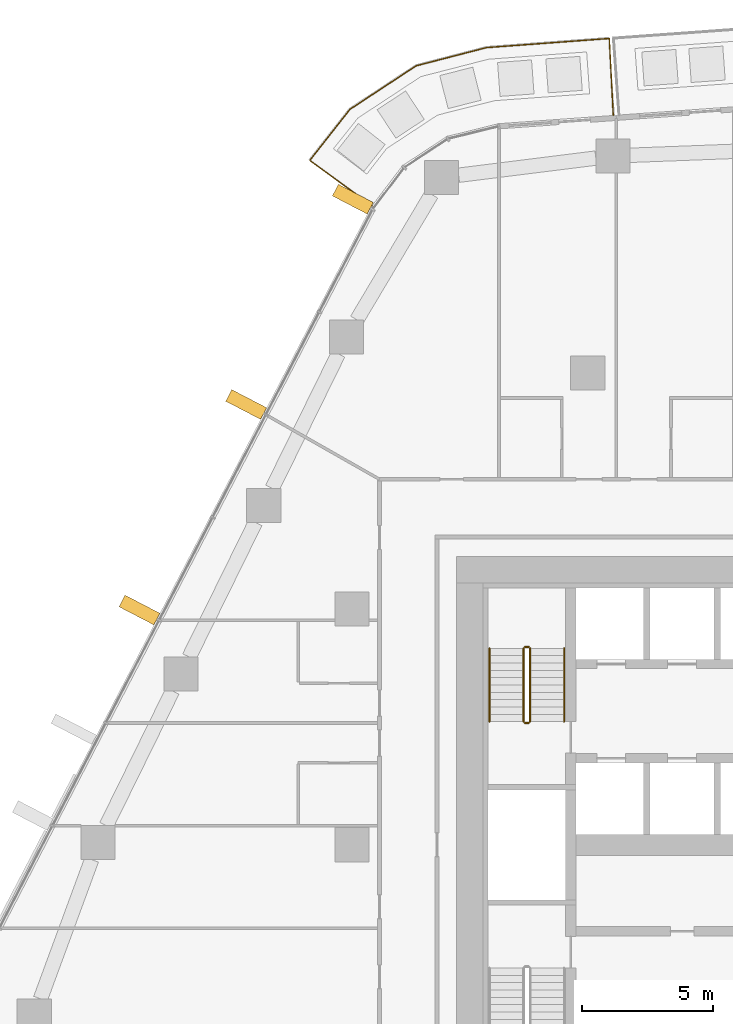
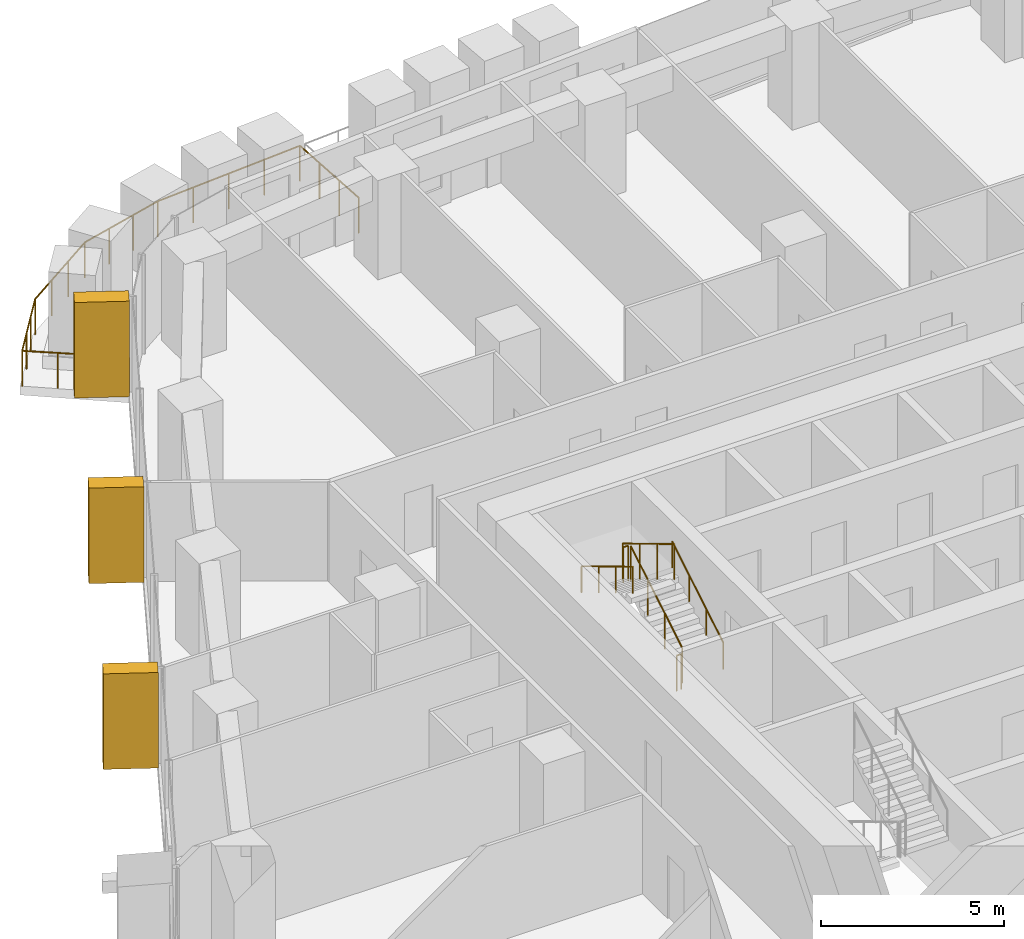
# One storey, part 22 of 24: 7 railings, 3 coverings, 1 element without a shape of its own.
"""IFC4 building model written with IfcOpenShell, lengths in metres."""

from ifc_helpers import new_model, si_unit, direction, frame, origin, origin_2d, place, context, subcontext, project, spatial, rectangle, circle, extrude, material, layer, layer_set, material_profile, profile_set, type_object, element, aggregate, save


model = new_model("IFC4")

# Units and contexts
model_context = context("Model", 3, precision=1e-05, world=origin(), true_north=direction((0.0, 1.0)))
body_context = subcontext(model_context, "Body", "Model", "MODEL_VIEW")
ifc_project = project(units=[si_unit("LENGTHUNIT", "METRE"), si_unit("AREAUNIT", "SQUARE_METRE"), si_unit("VOLUMEUNIT", "CUBIC_METRE"), si_unit("PLANEANGLEUNIT", "RADIAN"), si_unit("MASSUNIT", "GRAM", prefix="KILO")], contexts=[model_context])

# Site, building, storey
site_placement = place(None, origin())
site = spatial("IfcSite", under=ifc_project, at=site_placement, CompositionType="ELEMENT")
building_placement = place(site_placement, origin())
building = spatial("IfcBuilding", under=site, at=building_placement, Name="Dongbaek Canopy Tower", CompositionType="ELEMENT")
storey_placement = place(building_placement, frame((0.0, 0.0, 110.0)))
storey = spatial("IfcBuildingStorey", under=building, at=storey_placement, Name="L23", CompositionType="ELEMENT", Elevation=110.0)

# Railing
ifc_material_1 = material(Name="Stainless steel", Category="steel")
railing_type_1 = type_object("IfcRailingType", Name="Balcony balustrade 1200", PredefinedType="BALUSTRADE", material=ifc_material_1)
railing_1_placement = place(storey_placement, frame((-8.026123046875, 27.83544921875, 0.0)))
element("IfcRailing", 1, at=railing_1_placement, inside=storey, type_object=railing_type_1, Name="Balcony guard L23 7", PredefinedType="BALUSTRADE", context=body_context, shape_type="SweptSolid", body=[
    extrude(circle(Radius=0.02392578125, at=origin_2d()), frame((0.0, 0.0, 1.17578125), z_axis=(-0.051395238135, 0.998678391424, 0.0), x_axis=(-0.998678391424, -0.051395238135, 0.0)), (0.0, 0.0, 1.0), 2.9404296875),
    extrude(circle(Radius=0.02392578125, at=origin_2d()), frame((-0.151123046875, 2.9365234375, 1.17578125), z_axis=(-0.997261085005, -0.073961668002, 0.0), x_axis=(0.073961668002, -0.997261085005, 0.0)), (0.0, 0.0, 1.0), 4.697265625),
    extrude(circle(Radius=0.02392578125, at=origin_2d()), frame((-4.83544921875, 2.589111328125, 1.17578125), z_axis=(-0.96810832339, -0.250531982354, 0.0), x_axis=(0.250531982354, -0.96810832339, 0.0)), (0.0, 0.0, 1.0), 2.77734375),
    extrude(circle(Radius=0.02392578125, at=origin_2d()), frame((-7.524169921875, 1.893310546875, 1.17578125), z_axis=(-0.83547363868, -0.54953052606, 0.0), x_axis=(0.54953052606, -0.83547363868, 0.0)), (0.0, 0.0, 1.0), 3.025146484375),
    extrude(circle(Radius=0.02392578125, at=origin_2d()), frame((-10.051513671875, 0.23095703125, 1.17578125), z_axis=(-0.617895514271, -0.78626021993, 0.0), x_axis=(0.78626021993, -0.617895514271, 0.0)), (0.0, 0.0, 1.0), 2.478271484375),
    extrude(circle(Radius=0.02392578125, at=origin_2d()), frame((-11.582763671875, -1.717529296875, 1.17578125), z_axis=(0.808886844282, -0.587964346834, 0.0), x_axis=(0.587964346834, 0.808886844282, 0.0)), (0.0, 0.0, 1.0), 2.940673828125),
    extrude(circle(Radius=0.02099609375, at=origin_2d()), origin(), (0.0, 0.0, 1.0), 1.15185546875),
    extrude(circle(Radius=0.02099609375, at=origin_2d()), frame((-0.05029296875, 0.978759765625, 0.0)), (0.0, 0.0, 1.0), 1.15185546875),
    extrude(circle(Radius=0.02099609375, at=origin_2d()), frame((-0.100830078125, 1.957763671875, 0.0)), (0.0, 0.0, 1.0), 1.15185546875),
    extrude(circle(Radius=0.02099609375, at=origin_2d()), frame((-0.151123046875, 2.9365234375, 0.0)), (0.0, 0.0, 1.0), 1.15185546875),
    extrude(circle(Radius=0.02099609375, at=origin_2d()), frame((-1.322265625, 2.849609375, 0.0)), (0.0, 0.0, 1.0), 1.15185546875),
    extrude(circle(Radius=0.02099609375, at=origin_2d()), frame((-2.4931640625, 2.7626953125, 0.0)), (0.0, 0.0, 1.0), 1.15185546875),
    extrude(circle(Radius=0.02099609375, at=origin_2d()), frame((-3.664306640625, 2.676025390625, 0.0)), (0.0, 0.0, 1.0), 1.15185546875),
    extrude(circle(Radius=0.02099609375, at=origin_2d()), frame((-4.83544921875, 2.589111328125, 0.0)), (0.0, 0.0, 1.0), 1.15185546875),
    extrude(circle(Radius=0.02099609375, at=origin_2d()), frame((-5.731689453125, 2.357177734375, 0.0)), (0.0, 0.0, 1.0), 1.15185546875),
    extrude(circle(Radius=0.02099609375, at=origin_2d()), frame((-6.6279296875, 2.125244140625, 0.0)), (0.0, 0.0, 1.0), 1.15185546875),
    extrude(circle(Radius=0.02099609375, at=origin_2d()), frame((-7.524169921875, 1.893310546875, 0.0)), (0.0, 0.0, 1.0), 1.15185546875),
    extrude(circle(Radius=0.02099609375, at=origin_2d()), frame((-8.36669921875, 1.339111328125, 0.0)), (0.0, 0.0, 1.0), 1.15185546875),
    extrude(circle(Radius=0.02099609375, at=origin_2d()), frame((-9.208984375, 0.78515625, 0.0)), (0.0, 0.0, 1.0), 1.15185546875),
    extrude(circle(Radius=0.02099609375, at=origin_2d()), frame((-10.051513671875, 0.23095703125, 0.0)), (0.0, 0.0, 1.0), 1.15185546875),
    extrude(circle(Radius=0.02099609375, at=origin_2d()), frame((-10.56201171875, -0.41845703125, 0.0)), (0.0, 0.0, 1.0), 1.15185546875),
    extrude(circle(Radius=0.02099609375, at=origin_2d()), frame((-11.072265625, -1.068115234375, 0.0)), (0.0, 0.0, 1.0), 1.15185546875),
    extrude(circle(Radius=0.02099609375, at=origin_2d()), frame((-11.582763671875, -1.717529296875, 0.0)), (0.0, 0.0, 1.0), 1.15185546875),
    extrude(circle(Radius=0.02099609375, at=origin_2d()), frame((-10.789794921875, -2.2939453125, 0.0)), (0.0, 0.0, 1.0), 1.15185546875),
    extrude(circle(Radius=0.02099609375, at=origin_2d()), frame((-9.9970703125, -2.8701171875, 0.0)), (0.0, 0.0, 1.0), 1.15185546875),
    extrude(circle(Radius=0.02099609375, at=origin_2d()), frame((-9.2041015625, -3.446533203125, 0.0)), (0.0, 0.0, 1.0), 1.15185546875),
])

# Curtain wall, coverings
ifc_material_2 = material(Name="Aluminium 6063-T6 pale anodised", Category="aluminium")
ifc_layer = layer(ifc_material_2, 0.199951171875)
ifc_layer_set = layer_set([ifc_layer], Name="CW-1 unitised tower curtain wall")
curtain_wall_type = type_object("IfcCurtainWallType", Name="CW-1 unitised tower curtain wall", PredefinedType="NOTDEFINED", material=ifc_layer_set)
curtain_wall_placement = place(storey_placement, origin())
curtain_wall = element("IfcCurtainWall", 2, at=curtain_wall_placement, inside=storey, type_object=curtain_wall_type, Name="CW-1 curtain wall F2.1", PredefinedType="NOTDEFINED")
ifc_material_3 = material(Name="Aluminium 6063-T6 pale metal fin", Category="aluminium")
ifc_material_profile = material_profile(ifc_material_3, rectangle(XDim=1.5, YDim=0.5, at=origin_2d()), Name="Fin FN1 500 x 1500 pale metal")
ifc_profile_set = profile_set([ifc_material_profile], Name="Aluminium 6063-T6 pale metal fin")
covering_type = type_object("IfcCoveringType", Name="Fin FN1 500 x 1500 pale metal", PredefinedType="CLADDING", material=ifc_profile_set)
covering_1_placement = place(storey_placement, frame((-17.96630859375, 24.639404296875, 0.1201171875), z_axis=(0.0, 0.0, 1.0), x_axis=(-0.887462609411, 0.460879720641, 0.0)))
covering_1 = element("IfcCovering", 3, at=covering_1_placement, type_object=covering_type, Name="Fin F2.1.1", PredefinedType="CLADDING", context=body_context, shape_type="SweptSolid", body=[
    extrude(rectangle(XDim=1.5, YDim=0.5, at=origin_2d()), origin(), (0.0, 0.0, 1.0), 3.179931640625),
])
covering_2_placement = place(storey_placement, frame((-22.035888671875, 16.80322265625, 0.1201171875), z_axis=(0.0, 0.0, 1.0), x_axis=(-0.887462609411, 0.460879720641, 0.0)))
covering_2 = element("IfcCovering", 4, at=covering_2_placement, type_object=covering_type, Name="Fin F2.1.3", PredefinedType="CLADDING", context=body_context, shape_type="SweptSolid", body=[
    extrude(rectangle(XDim=1.5, YDim=0.5, at=origin_2d()), origin(), (0.0, 0.0, 1.0), 3.179931640625),
])
covering_3_placement = place(storey_placement, frame((-26.109375, 8.95947265625, 0.1201171875), z_axis=(0.0, 0.0, 1.0), x_axis=(-0.887462609411, 0.460879720641, 0.0)))
covering_3 = element("IfcCovering", 5, at=covering_3_placement, type_object=covering_type, Name="Fin F2.1.5", PredefinedType="CLADDING", context=body_context, shape_type="SweptSolid", body=[
    extrude(rectangle(XDim=1.5, YDim=0.5, at=origin_2d()), origin(), (0.0, 0.0, 1.0), 3.179931640625),
])
aggregate(curtain_wall, [covering_1, covering_2, covering_3])

# Railings
ifc_material_4 = material(Name="Stainless steel tube and balusters", Category="steel")
railing_type_2 = type_object("IfcRailingType", Name="Stair guard 1200", PredefinedType="GUARDRAIL", material=ifc_material_4)
railing_2_placement = place(storey_placement, frame((-11.199951171875, 4.699951171875, 0.168212890625)))
element("IfcRailing", 6, at=railing_2_placement, inside=storey, type_object=railing_type_2, Name="L23 ST-C stair guard 1", PredefinedType="GUARDRAIL", context=body_context, shape_type="SweptSolid", body=[
    extrude(circle(Radius=0.02392578125, at=origin_2d()), frame((0.0, 0.0, 1.17578125), z_axis=(0.0, 0.857242210791, 0.514913383045), x_axis=(-1.0, 0.0, 0.0)), (0.0, 0.0, 1.0), 3.266357421875),
    extrude(circle(Radius=0.02099609375, at=origin_2d()), origin(), (0.0, 0.0, 1.0), 1.15185546875),
    extrude(circle(Radius=0.02099609375, at=origin_2d()), frame((0.0, 0.933349609375, 0.560546875)), (0.0, 0.0, 1.0), 1.15185546875),
    extrude(circle(Radius=0.02099609375, at=origin_2d()), frame((0.0, 1.86669921875, 1.121337890625)), (0.0, 0.0, 1.0), 1.15185546875),
    extrude(circle(Radius=0.02099609375, at=origin_2d()), frame((0.0, 2.800048828125, 1.681884765625)), (0.0, 0.0, 1.0), 1.15185546875),
])
railing_3_placement = place(storey_placement, frame((-11.25, 7.550048828125, 1.85009765625)))
element("IfcRailing", 7, at=railing_3_placement, inside=storey, type_object=railing_type_2, Name="L23 ST-C stair guard 2", PredefinedType="GUARDRAIL", context=body_context, shape_type="SweptSolid", body=[
    extrude(circle(Radius=0.02392578125, at=origin_2d()), frame((0.0, 0.0, 1.17578125), z_axis=(-1.0, 0.0, 0.0), x_axis=(0.0, -1.0, 0.0)), (0.0, 0.0, 1.0), 0.14990234375),
    extrude(circle(Radius=0.02099609375, at=origin_2d()), origin(), (0.0, 0.0, 1.0), 1.15185546875),
    extrude(circle(Radius=0.02099609375, at=origin_2d()), frame((-0.14990234375, 0.0, 0.0)), (0.0, 0.0, 1.0), 1.15185546875),
])
railing_4_placement = place(storey_placement, frame((-11.449951171875, 7.5, 2.01806640625)))
element("IfcRailing", 8, at=railing_4_placement, inside=storey, type_object=railing_type_2, Name="L23 ST-C stair guard 3", PredefinedType="GUARDRAIL", context=body_context, shape_type="SweptSolid", body=[
    extrude(circle(Radius=0.02392578125, at=origin_2d()), frame((0.0, 0.0, 1.17578125), z_axis=(0.0, -0.857242210791, 0.514913383045), x_axis=(1.0, 0.0, 0.0)), (0.0, 0.0, 1.0), 3.266357421875),
    extrude(circle(Radius=0.02099609375, at=origin_2d()), origin(), (0.0, 0.0, 1.0), 1.15185546875),
    extrude(circle(Radius=0.02099609375, at=origin_2d()), frame((0.0, -0.933349609375, 0.560546875)), (0.0, 0.0, 1.0), 1.15185546875),
    extrude(circle(Radius=0.02099609375, at=origin_2d()), frame((0.0, -1.86669921875, 1.121337890625)), (0.0, 0.0, 1.0), 1.15185546875),
    extrude(circle(Radius=0.02099609375, at=origin_2d()), frame((0.0, -2.800048828125, 1.681884765625)), (0.0, 0.0, 1.0), 1.15185546875),
])
railing_5_placement = place(storey_placement, frame((-11.25, 4.64990234375, 0.0)))
element("IfcRailing", 9, at=railing_5_placement, inside=storey, type_object=railing_type_2, Name="L23 ST-C stair guard 4", PredefinedType="GUARDRAIL", context=body_context, shape_type="SweptSolid", body=[
    extrude(circle(Radius=0.02392578125, at=origin_2d()), frame((0.0, 0.0, 1.17578125), z_axis=(-1.0, 0.0, 0.0), x_axis=(0.0, -1.0, 0.0)), (0.0, 0.0, 1.0), 0.14990234375),
    extrude(circle(Radius=0.02099609375, at=origin_2d()), origin(), (0.0, 0.0, 1.0), 1.15185546875),
    extrude(circle(Radius=0.02099609375, at=origin_2d()), frame((-0.14990234375, 0.0, 0.0)), (0.0, 0.0, 1.0), 1.15185546875),
])
ifc_material_5 = material(Name="Stainless steel tube", Category="steel")
railing_type_3 = type_object("IfcRailingType", Name="Stair handrail 900", PredefinedType="HANDRAIL", material=ifc_material_5)
railing_6_placement = place(storey_placement, frame((-9.89990234375, 4.699951171875, 0.168212890625)))
element("IfcRailing", 10, at=railing_6_placement, inside=storey, type_object=railing_type_3, Name="L23 ST-C stair handrail 1", PredefinedType="HANDRAIL", context=body_context, shape_type="SweptSolid", body=[
    extrude(circle(Radius=0.02392578125, at=origin_2d()), frame((0.0, 0.0, 0.8759765625), z_axis=(0.0, 0.857242210791, 0.514913383045), x_axis=(-1.0, 0.0, 0.0)), (0.0, 0.0, 1.0), 3.266357421875),
    extrude(circle(Radius=0.02099609375, at=origin_2d()), origin(), (0.0, 0.0, 1.0), 0.851806640625),
    extrude(circle(Radius=0.02099609375, at=origin_2d()), frame((0.0, 0.933349609375, 0.560546875)), (0.0, 0.0, 1.0), 0.851806640625),
    extrude(circle(Radius=0.02099609375, at=origin_2d()), frame((0.0, 1.86669921875, 1.121337890625)), (0.0, 0.0, 1.0), 0.851806640625),
    extrude(circle(Radius=0.02099609375, at=origin_2d()), frame((0.0, 2.800048828125, 1.681884765625)), (0.0, 0.0, 1.0), 0.851806640625),
])
railing_7_placement = place(storey_placement, frame((-12.75, 7.5, 2.01806640625)))
element("IfcRailing", 11, at=railing_7_placement, inside=storey, type_object=railing_type_3, Name="L23 ST-C stair handrail 2", PredefinedType="HANDRAIL", context=body_context, shape_type="SweptSolid", body=[
    extrude(circle(Radius=0.02392578125, at=origin_2d()), frame((0.0, 0.0, 0.8759765625), z_axis=(0.0, -0.857242210791, 0.514913383045), x_axis=(1.0, 0.0, 0.0)), (0.0, 0.0, 1.0), 3.266357421875),
    extrude(circle(Radius=0.02099609375, at=origin_2d()), origin(), (0.0, 0.0, 1.0), 0.851806640625),
    extrude(circle(Radius=0.02099609375, at=origin_2d()), frame((0.0, -0.933349609375, 0.560546875)), (0.0, 0.0, 1.0), 0.851806640625),
    extrude(circle(Radius=0.02099609375, at=origin_2d()), frame((0.0, -1.86669921875, 1.121337890625)), (0.0, 0.0, 1.0), 0.851806640625),
    extrude(circle(Radius=0.02099609375, at=origin_2d()), frame((0.0, -2.800048828125, 1.681884765625)), (0.0, 0.0, 1.0), 0.851806640625),
])

save(model, "model.ifc")
